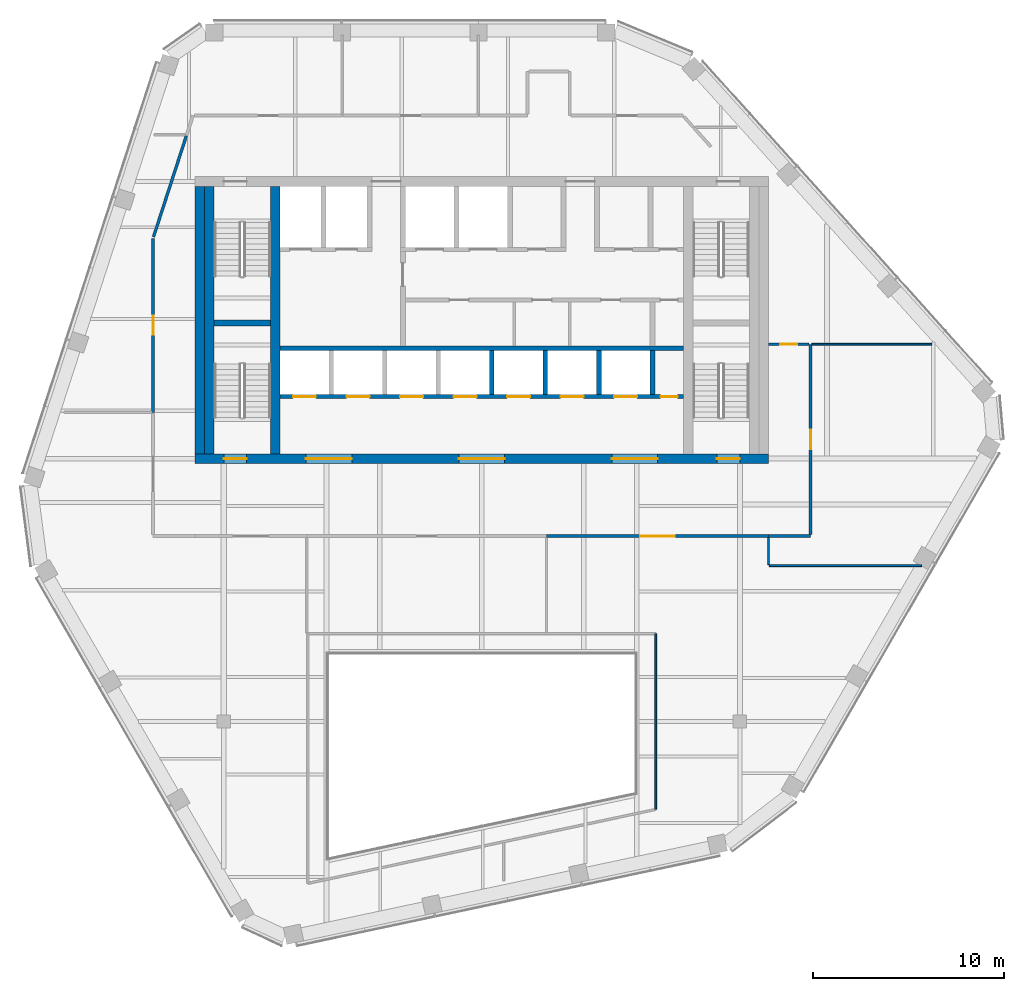
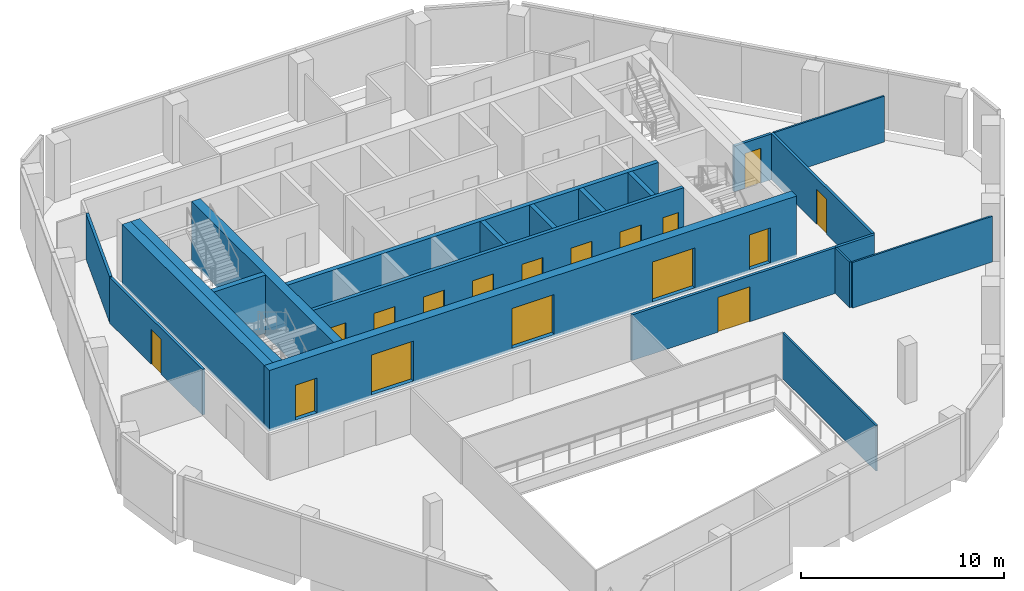
# One storey, part 8 of 15: 21 walls, 17 doors, 17 openings.
"""IFC4 building model written with IfcOpenShell, lengths in metres."""

from ifc_helpers import new_model, si_unit, direction, frame, frame_2d, origin, place, context, subcontext, project, spatial, rectangle, extrude, material, layer, layer_set, type_object, element, fill, save


model = new_model("IFC4")

# Units and contexts
model_context = context("Model", 3, precision=1e-05, world=origin(), true_north=direction((0.0, 1.0)))
body_context = subcontext(model_context, "Body", "Model", "MODEL_VIEW")
ifc_project = project(units=[si_unit("LENGTHUNIT", "METRE"), si_unit("AREAUNIT", "SQUARE_METRE"), si_unit("VOLUMEUNIT", "CUBIC_METRE"), si_unit("PLANEANGLEUNIT", "RADIAN"), si_unit("MASSUNIT", "GRAM", prefix="KILO")], contexts=[model_context])

# Site, building, storey
site_placement = place(None, origin())
site = spatial("IfcSite", under=ifc_project, at=site_placement, CompositionType="ELEMENT")
building_placement = place(site_placement, origin())
building = spatial("IfcBuilding", under=site, at=building_placement, Name="Isthmus Gate Tower", CompositionType="ELEMENT")
storey_placement = place(building_placement, frame((0.0, 0.0, 271.89990234375)))
storey = spatial("IfcBuildingStorey", under=building, at=storey_placement, Name="L69", CompositionType="ELEMENT", Elevation=271.89990234375)

# Wall
ifc_material_1 = material(Name="Fire-rated laminated glass in steel frame", Category="steel")
ifc_layer_1 = layer(ifc_material_1, 0.10009765625)
ifc_layer_set_1 = layer_set([ifc_layer_1], Name="ATRIUM SCREEN GLAZED WALL 100 120 MIN")
wall_type_1 = type_object("IfcWallType", Name="ATRIUM SCREEN GLAZED WALL 100 120 MIN", PredefinedType="PARTITIONING", material=ifc_layer_set_1)
wall_1_placement = place(storey_placement, frame((9.10009765625, -8.89990234375, 0.0), z_axis=(0.0, 0.0, 1.0), x_axis=(0.0, -1.0, 0.0)))
element("IfcWall", 1, at=wall_1_placement, inside=storey, type_object=wall_type_1, Name="L69 atrium screen", PredefinedType="PARTITIONING", context=body_context, shape_type="SweptSolid", body=[
    extrude(rectangle(XDim=9.200927734375, YDim=0.10009765625, at=frame_2d((4.6005859375, 0.0))), origin(), (0.0, 0.0, 1.0), 2.750732421875),
])

# Wall, opening, door
ifc_material_2 = material(Name="Gypsum board on steel studs, fire-rated", Category="steel")
ifc_layer_2 = layer(ifc_material_2, 0.14990234375)
ifc_layer_set_2 = layer_set([ifc_layer_2], Name="CORRIDOR WALL 150 60 MIN")
wall_type_2 = type_object("IfcWallType", Name="CORRIDOR WALL 150 60 MIN", PredefinedType="PARTITIONING", material=ifc_layer_set_2)
wall_2_placement = place(storey_placement, frame((15.0, -3.800048828125, 0.0), z_axis=(0.0, 0.0, 1.0), x_axis=(-1.0, 0.0, 0.0)))
wall_2 = element("IfcWall", 2, at=wall_2_placement, inside=storey, type_object=wall_type_2, Name="L69 Corridor Wall 150 60 Min", PredefinedType="PARTITIONING", context=body_context, shape_type="SweptSolid", body=[
    extrude(rectangle(XDim=11.614990234375, YDim=0.14990234375, at=frame_2d((5.8076171875, 0.0))), origin(), (0.0, 0.0, 1.0), 2.750732421875),
])
opening_1_placement = place(wall_2_placement, frame((4.907470703125, 0.0, 0.0)))
opening_1 = element("IfcOpeningElement", 3, at=opening_1_placement, cuts=wall_2, Name="Opening DT-T6B-10", PredefinedType="OPENING", context=body_context, shape_type="SweptSolid", body=[
    extrude(rectangle(XDim=1.800048828125, YDim=2.10009765625, at=frame_2d((0.89990234375, 1.050048828125))), frame((0.0, 0.0849609375, 0.0), z_axis=(0.0, -1.0, 0.0), x_axis=(1.0, 0.0, 0.0)), (0.0, 0.0, 1.0), 0.169921875),
])
ifc_material_3 = material(Name="Solid core timber door leaf, fire-rated", Category="wood")
door_type_1 = type_object("IfcDoorType", Name="FIRE DOOR ROOM 1800 X 2100 60 MIN", OperationType="DOUBLE_DOOR_DOUBLE_SWING", PredefinedType="DOOR", material=ifc_material_3)
door_1_placement = place(opening_1_placement, origin())
door_1 = element("IfcDoor", 4, at=door_1_placement, inside=storey, type_object=door_type_1, Name="L69 room door", OperationType="DOUBLE_DOOR_DOUBLE_SWING", OverallHeight=2.10009765625, OverallWidth=1.800048828125, PredefinedType="DOOR", context=body_context, shape_type="SweptSolid", body=[
    extrude(rectangle(XDim=1.800048828125, YDim=2.10009765625, at=frame_2d((0.89990234375, 1.050048828125))), frame((0.0, 0.02490234375, 0.0), z_axis=(0.0, -1.0, 0.0), x_axis=(1.0, 0.0, 0.0)), (0.0, 0.0, 1.0), 0.050048828125),
])
fill(opening_1, door_1)

# Wall
wall_3_placement = place(storey_placement, frame((17.199951171875, -3.800048828125, 0.0), z_axis=(0.0, 0.0, 1.0), x_axis=(-1.0, 0.0, 0.0)))
element("IfcWall", 5, at=wall_3_placement, inside=storey, type_object=wall_type_2, Name="L69 Corridor Wall 150 60 Min", PredefinedType="PARTITIONING", context=body_context, shape_type="SweptSolid", body=[
    extrude(rectangle(XDim=2.199951171875, YDim=0.14990234375, at=frame_2d((1.10009765625, 0.0))), origin(), (0.0, 0.0, 1.0), 2.750732421875),
])

# Wall, opening, door
wall_4_placement = place(storey_placement, frame((17.199951171875, 6.235107421875, 0.0), z_axis=(0.0, 0.0, 1.0), x_axis=(0.0, -1.0, 0.0)))
wall_4 = element("IfcWall", 6, at=wall_4_placement, inside=storey, type_object=wall_type_2, Name="L69 Corridor Wall 150 60 Min", PredefinedType="PARTITIONING", context=body_context, shape_type="SweptSolid", body=[
    extrude(rectangle(XDim=9.960205078125, YDim=0.14990234375, at=frame_2d((4.97998046875, 0.0))), origin(), (0.0, 0.0, 1.0), 2.750732421875),
])
opening_2_placement = place(wall_4_placement, frame((4.47998046875, 0.0, 0.0)))
opening_2 = element("IfcOpeningElement", 7, at=opening_2_placement, cuts=wall_4, Name="Opening DT-T6B-06", PredefinedType="OPENING", context=body_context, shape_type="SweptSolid", body=[
    extrude(rectangle(XDim=1.0, YDim=2.10009765625, at=frame_2d((0.5, 1.050048828125))), frame((0.0, 0.0849609375, 0.0), z_axis=(0.0, -1.0, 0.0), x_axis=(1.0, 0.0, 0.0)), (0.0, 0.0, 1.0), 0.169921875),
])
ifc_material_4 = material(Name="Solid core timber door leaf, fire-rated", Category="wood")
door_type_2 = type_object("IfcDoorType", Name="FIRE DOOR ROOM 1000 X 2100 60 MIN", OperationType="SINGLE_SWING_LEFT", PredefinedType="DOOR", material=ifc_material_4)
door_2_placement = place(opening_2_placement, origin())
door_2 = element("IfcDoor", 8, at=door_2_placement, inside=storey, type_object=door_type_2, Name="L69 room door", OperationType="SINGLE_SWING_RIGHT", OverallHeight=2.10009765625, OverallWidth=1.0, PredefinedType="DOOR", context=body_context, shape_type="SweptSolid", body=[
    extrude(rectangle(XDim=1.0, YDim=2.10009765625, at=frame_2d((0.5, 1.050048828125))), frame((0.0, 0.02490234375, 0.0), z_axis=(0.0, -1.0, 0.0), x_axis=(1.0, 0.0, 0.0)), (0.0, 0.0, 1.0), 0.050048828125),
])
fill(opening_2, door_2)

wall_5_placement = place(storey_placement, frame((15.0, 6.235107421875, 0.0), z_axis=(0.0, 0.0, 1.0), x_axis=(1.0, 0.0, 0.0)))
wall_5 = element("IfcWall", 9, at=wall_5_placement, inside=storey, type_object=wall_type_2, Name="L69 Corridor Wall 150 60 Min", PredefinedType="PARTITIONING", context=body_context, shape_type="SweptSolid", body=[
    extrude(rectangle(XDim=2.125, YDim=0.14990234375, at=frame_2d((1.0625, 0.0))), origin(), (0.0, 0.0, 1.0), 2.750732421875),
])
opening_3_placement = place(wall_5_placement, frame((0.612548828125, 0.0, 0.0)))
opening_3 = element("IfcOpeningElement", 10, at=opening_3_placement, cuts=wall_5, Name="Opening DT-T6B-04", PredefinedType="OPENING", context=body_context, shape_type="SweptSolid", body=[
    extrude(rectangle(XDim=0.89990234375, YDim=2.10009765625, at=frame_2d((0.449951171875, 1.050048828125))), frame((0.0, 0.0849609375, 0.0), z_axis=(0.0, -1.0, 0.0), x_axis=(1.0, 0.0, 0.0)), (0.0, 0.0, 1.0), 0.169921875),
])
ifc_material_5 = material(Name="Solid core timber door leaf, fire-rated", Category="wood")
door_type_3 = type_object("IfcDoorType", Name="FIRE DOOR ROOM 900 X 2100 60 MIN", OperationType="SINGLE_SWING_LEFT", PredefinedType="DOOR", material=ifc_material_5)
door_3_placement = place(opening_3_placement, origin())
door_3 = element("IfcDoor", 11, at=door_3_placement, inside=storey, type_object=door_type_3, Name="L69 room door", OperationType="SINGLE_SWING_LEFT", OverallHeight=2.10009765625, OverallWidth=0.89990234375, PredefinedType="DOOR", context=body_context, shape_type="SweptSolid", body=[
    extrude(rectangle(XDim=0.89990234375, YDim=2.10009765625, at=frame_2d((0.449951171875, 1.050048828125))), frame((0.0, 0.02490234375, 0.0), z_axis=(0.0, -1.0, 0.0), x_axis=(1.0, 0.0, 0.0)), (0.0, 0.0, 1.0), 0.050048828125),
])
fill(opening_3, door_3)

wall_6_placement = place(storey_placement, frame((-17.199951171875, 2.669921875, 0.0), z_axis=(0.0, 0.0, 1.0), x_axis=(0.0, 1.0, 0.0)))
wall_6 = element("IfcWall", 12, at=wall_6_placement, inside=storey, type_object=wall_type_2, Name="L69 Corridor Wall 150 60 Min", PredefinedType="PARTITIONING", context=body_context, shape_type="SweptSolid", body=[
    extrude(rectangle(XDim=9.107177734375, YDim=0.14990234375, at=frame_2d((4.5537109375, 0.0))), origin(), (0.0, 0.0, 1.0), 2.750732421875),
])
opening_4_placement = place(wall_6_placement, frame((4.053466796875, 0.0, 0.0)))
opening_4 = element("IfcOpeningElement", 13, at=opening_4_placement, cuts=wall_6, Name="Opening DT-T6B-05", PredefinedType="OPENING", context=body_context, shape_type="SweptSolid", body=[
    extrude(rectangle(XDim=1.0, YDim=2.10009765625, at=frame_2d((0.5, 1.050048828125))), frame((0.0, 0.0849609375, 0.0), z_axis=(0.0, -1.0, 0.0), x_axis=(1.0, 0.0, 0.0)), (0.0, 0.0, 1.0), 0.169921875),
])
door_4_placement = place(opening_4_placement, origin())
door_4 = element("IfcDoor", 14, at=door_4_placement, inside=storey, type_object=door_type_2, Name="L69 room door", OperationType="SINGLE_SWING_RIGHT", OverallHeight=2.10009765625, OverallWidth=1.0, PredefinedType="DOOR", context=body_context, shape_type="SweptSolid", body=[
    extrude(rectangle(XDim=1.0, YDim=2.10009765625, at=frame_2d((0.5, 1.050048828125))), frame((0.0, 0.02490234375, 0.0), z_axis=(0.0, -1.0, 0.0), x_axis=(1.0, 0.0, 0.0)), (0.0, 0.0, 1.0), 0.050048828125),
])
fill(opening_4, door_4)

# Walls
wall_7_placement = place(storey_placement, frame((-17.1767578125, 11.848388671875, 0.0), z_axis=(0.0, 0.0, 1.0), x_axis=(0.309030503714, 0.951052126739, 0.0)))
element("IfcWall", 15, at=wall_7_placement, inside=storey, type_object=wall_type_2, Name="L69 Corridor Wall 150 60 Min", PredefinedType="PARTITIONING", context=body_context, shape_type="SweptSolid", body=[
    extrude(rectangle(XDim=5.563232421875, YDim=0.14990234375, at=frame_2d((2.78173828125, 0.0))), origin(), (0.0, 0.0, 1.0), 2.750732421875),
])
ifc_material_6 = material(Name="Concrete f'c 50 MPa", Category="concrete")
ifc_layer_3 = layer(ifc_material_6, 0.5)
ifc_layer_set_3 = layer_set([ifc_layer_3], Name="RC CORE SPINE WALL 500 F'C 50")
wall_type_3 = type_object("IfcWallType", Name="RC CORE SPINE WALL 500 F'C 50", PredefinedType="SOLIDWALL", material=ifc_layer_set_3)
wall_8_placement = place(storey_placement, frame((-10.800048828125, 0.5, -0.14990234375), z_axis=(0.0, 0.0, 1.0), x_axis=(0.0, 1.0, 0.0)))
element("IfcWall", 16, at=wall_8_placement, inside=storey, type_object=wall_type_3, Name="str-corewall-L69-SPW", PredefinedType="SOLIDWALL", context=body_context, shape_type="SweptSolid", body=[
    extrude(rectangle(XDim=14.0, YDim=0.5, at=frame_2d((7.0, 0.0))), origin(), (0.0, 0.0, 1.0), 3.64990234375),
])

# Wall, openings, doors
ifc_material_7 = material(Name="Concrete f'c 50 MPa", Category="concrete")
ifc_layer_4 = layer(ifc_material_7, 0.5)
ifc_layer_set_4 = layer_set([ifc_layer_4], Name="RC CORE WALL 500 F'C 50")
wall_type_4 = type_object("IfcWallType", Name="RC CORE WALL 500 F'C 50", PredefinedType="SOLIDWALL", material=ifc_layer_set_4)
wall_9_placement = place(storey_placement, frame((-15.0, 0.25, -0.14990234375), z_axis=(0.0, 0.0, 1.0), x_axis=(1.0, 0.0, 0.0)))
wall_9 = element("IfcWall", 17, at=wall_9_placement, inside=storey, type_object=wall_type_4, Name="str-corewall-L69-S", PredefinedType="SOLIDWALL", context=body_context, shape_type="SweptSolid", body=[
    extrude(rectangle(XDim=30.0, YDim=0.5, at=frame_2d((15.0, 0.0))), origin(), (0.0, 0.0, 1.0), 3.64990234375),
])
opening_5_placement = place(wall_9_placement, frame((5.800048828125, 0.0, 0.14990234375)))
opening_5 = element("IfcOpeningElement", 18, at=opening_5_placement, cuts=wall_9, Name="Opening DC-A19-10", PredefinedType="OPENING", context=body_context, shape_type="SweptSolid", body=[
    extrude(rectangle(XDim=2.39990234375, YDim=2.39990234375, at=frame_2d((1.199951171875, 1.199951171875))), frame((0.0, 0.260009765625, 0.0), z_axis=(0.0, -1.0, 0.0), x_axis=(1.0, 0.0, 0.0)), (0.0, 0.0, 1.0), 0.52001953125),
])
opening_6_placement = place(wall_9_placement, frame((13.800048828125, 0.0, 0.14990234375)))
opening_6 = element("IfcOpeningElement", 19, at=opening_6_placement, cuts=wall_9, Name="Opening DC-A19-11", PredefinedType="OPENING", context=body_context, shape_type="SweptSolid", body=[
    extrude(rectangle(XDim=2.39990234375, YDim=2.39990234375, at=frame_2d((1.199951171875, 1.199951171875))), frame((0.0, 0.260009765625, 0.0), z_axis=(0.0, -1.0, 0.0), x_axis=(1.0, 0.0, 0.0)), (0.0, 0.0, 1.0), 0.52001953125),
])
opening_7_placement = place(wall_9_placement, frame((21.800048828125, 0.0, 0.14990234375)))
opening_7 = element("IfcOpeningElement", 20, at=opening_7_placement, cuts=wall_9, Name="Opening DC-A19-12", PredefinedType="OPENING", context=body_context, shape_type="SweptSolid", body=[
    extrude(rectangle(XDim=2.39990234375, YDim=2.39990234375, at=frame_2d((1.199951171875, 1.199951171875))), frame((0.0, 0.260009765625, 0.0), z_axis=(0.0, -1.0, 0.0), x_axis=(1.0, 0.0, 0.0)), (0.0, 0.0, 1.0), 0.52001953125),
])
opening_8_placement = place(wall_9_placement, frame((1.5, 0.0, 0.14990234375)))
opening_8 = element("IfcOpeningElement", 21, at=opening_8_placement, cuts=wall_9, Name="Opening DC-A19-17", PredefinedType="OPENING", context=body_context, shape_type="SweptSolid", body=[
    extrude(rectangle(XDim=1.199951171875, YDim=2.10009765625, at=frame_2d((0.60009765625, 1.050048828125))), frame((0.0, 0.260009765625, 0.0), z_axis=(0.0, -1.0, 0.0), x_axis=(1.0, 0.0, 0.0)), (0.0, 0.0, 1.0), 0.52001953125),
])
opening_9_placement = place(wall_9_placement, frame((27.300048828125, 0.0, 0.14990234375)))
opening_9 = element("IfcOpeningElement", 22, at=opening_9_placement, cuts=wall_9, Name="Opening DC-A19-18", PredefinedType="OPENING", context=body_context, shape_type="SweptSolid", body=[
    extrude(rectangle(XDim=1.199951171875, YDim=2.10009765625, at=frame_2d((0.60009765625, 1.050048828125))), frame((0.0, 0.260009765625, 0.0), z_axis=(0.0, -1.0, 0.0), x_axis=(1.0, 0.0, 0.0)), (0.0, 0.0, 1.0), 0.52001953125),
])
ifc_material_8 = material(Name="Laminated safety glass in steel frame, fire-rated", Category="steel")
door_type_4 = type_object("IfcDoorType", Name="LOBBY ENTRANCE FIRE DOOR 2400 X 2400 60 MIN", OperationType="DOUBLE_DOOR_DOUBLE_SWING", PredefinedType="DOOR", material=ifc_material_8)
door_5_placement = place(opening_5_placement, origin())
door_5 = element("IfcDoor", 23, at=door_5_placement, inside=storey, type_object=door_type_4, Name="Lobby Entrance PS-W", OperationType="DOUBLE_DOOR_DOUBLE_SWING", OverallHeight=2.39990234375, OverallWidth=2.39990234375, PredefinedType="DOOR", context=body_context, shape_type="SweptSolid", body=[
    extrude(rectangle(XDim=2.39990234375, YDim=2.39990234375, at=frame_2d((1.199951171875, 1.199951171875))), frame((0.0, 0.02490234375, 0.0), z_axis=(0.0, -1.0, 0.0), x_axis=(1.0, 0.0, 0.0)), (0.0, 0.0, 1.0), 0.050048828125),
])
fill(opening_5, door_5)
door_6_placement = place(opening_6_placement, origin())
door_6 = element("IfcDoor", 24, at=door_6_placement, inside=storey, type_object=door_type_4, Name="Lobby Entrance PS-C", OperationType="DOUBLE_DOOR_DOUBLE_SWING", OverallHeight=2.39990234375, OverallWidth=2.39990234375, PredefinedType="DOOR", context=body_context, shape_type="SweptSolid", body=[
    extrude(rectangle(XDim=2.39990234375, YDim=2.39990234375, at=frame_2d((1.199951171875, 1.199951171875))), frame((0.0, 0.02490234375, 0.0), z_axis=(0.0, -1.0, 0.0), x_axis=(1.0, 0.0, 0.0)), (0.0, 0.0, 1.0), 0.050048828125),
])
fill(opening_6, door_6)
door_7_placement = place(opening_7_placement, origin())
door_7 = element("IfcDoor", 25, at=door_7_placement, inside=storey, type_object=door_type_4, Name="Lobby Entrance PS-E", OperationType="DOUBLE_DOOR_DOUBLE_SWING", OverallHeight=2.39990234375, OverallWidth=2.39990234375, PredefinedType="DOOR", context=body_context, shape_type="SweptSolid", body=[
    extrude(rectangle(XDim=2.39990234375, YDim=2.39990234375, at=frame_2d((1.199951171875, 1.199951171875))), frame((0.0, 0.02490234375, 0.0), z_axis=(0.0, -1.0, 0.0), x_axis=(1.0, 0.0, 0.0)), (0.0, 0.0, 1.0), 0.050048828125),
])
fill(opening_7, door_7)
ifc_material_9 = material(Name="Steel door leaf, fire-rated", Category="steel")
door_type_5 = type_object("IfcDoorType", Name="STAIR FIRE DOOR 1200 X 2100 90 MIN", OperationType="SINGLE_SWING_LEFT", PredefinedType="DOOR", material=ifc_material_9)
door_8_placement = place(opening_8_placement, origin())
door_8 = element("IfcDoor", 26, at=door_8_placement, inside=storey, type_object=door_type_5, Name="Exit Stair 7 Door", OperationType="SINGLE_SWING_LEFT", OverallHeight=2.10009765625, OverallWidth=1.199951171875, PredefinedType="DOOR", context=body_context, shape_type="SweptSolid", body=[
    extrude(rectangle(XDim=1.199951171875, YDim=2.10009765625, at=frame_2d((0.60009765625, 1.050048828125))), frame((0.0, 0.02490234375, 0.0), z_axis=(0.0, -1.0, 0.0), x_axis=(1.0, 0.0, 0.0)), (0.0, 0.0, 1.0), 0.050048828125),
])
fill(opening_8, door_8)
door_9_placement = place(opening_9_placement, origin())
door_9 = element("IfcDoor", 27, at=door_9_placement, inside=storey, type_object=door_type_5, Name="Exit Stair 8 Door", OperationType="SINGLE_SWING_RIGHT", OverallHeight=2.10009765625, OverallWidth=1.199951171875, PredefinedType="DOOR", context=body_context, shape_type="SweptSolid", body=[
    extrude(rectangle(XDim=1.199951171875, YDim=2.10009765625, at=frame_2d((0.60009765625, 1.050048828125))), frame((0.0, 0.02490234375, 0.0), z_axis=(0.0, -1.0, 0.0), x_axis=(1.0, 0.0, 0.0)), (0.0, 0.0, 1.0), 0.050048828125),
])
fill(opening_9, door_9)

# Walls
wall_10_placement = place(storey_placement, frame((-14.75, 0.5, -0.14990234375), z_axis=(0.0, 0.0, 1.0), x_axis=(0.0, 1.0, 0.0)))
element("IfcWall", 28, at=wall_10_placement, inside=storey, type_object=wall_type_4, Name="str-corewall-L69-W", PredefinedType="SOLIDWALL", context=body_context, shape_type="SweptSolid", body=[
    extrude(rectangle(XDim=14.0, YDim=0.5, at=frame_2d((7.0, 0.0))), origin(), (0.0, 0.0, 1.0), 3.64990234375),
])
ifc_material_10 = material(Name="Gypsum board on steel studs, fire-rated", Category="steel")
ifc_layer_5 = layer(ifc_material_10, 0.10009765625)
ifc_layer_set_5 = layer_set([ifc_layer_5], Name="ROOM PARTITION 100 30 MIN")
wall_type_5 = type_object("IfcWallType", Name="ROOM PARTITION 100 30 MIN", PredefinedType="PARTITIONING", material=ifc_layer_set_5)
wall_11_placement = place(storey_placement, frame((17.27490234375, 6.235107421875, 0.0), z_axis=(0.0, 0.0, 1.0), x_axis=(0.999999962915, 0.00027234174, 0.0)))
element("IfcWall", 29, at=wall_11_placement, inside=storey, type_object=wall_type_5, Name="L69 Room Partition 100 30 Min", PredefinedType="PARTITIONING", context=body_context, shape_type="SweptSolid", body=[
    extrude(rectangle(XDim=6.275146484375, YDim=0.10009765625, at=frame_2d((3.1376953125, 0.0))), origin(), (0.0, 0.0, 1.0), 2.750732421875),
])
wall_12_placement = place(storey_placement, frame((15.050048828125, -5.35009765625, 0.0), z_axis=(0.0, 0.0, 1.0), x_axis=(1.0, 0.0, 0.0)))
element("IfcWall", 30, at=wall_12_placement, inside=storey, type_object=wall_type_5, Name="L69 Room Partition 100 30 Min", PredefinedType="PARTITIONING", context=body_context, shape_type="SweptSolid", body=[
    extrude(rectangle(XDim=7.9599609375, YDim=0.10009765625, at=frame_2d((3.97998046875, 0.0))), origin(), (0.0, 0.0, 1.0), 2.750732421875),
])
wall_13_placement = place(storey_placement, frame((15.0, -5.300048828125, 0.0), z_axis=(0.0, 0.0, 1.0), x_axis=(0.0, 1.0, 0.0)))
element("IfcWall", 31, at=wall_13_placement, inside=storey, type_object=wall_type_5, Name="L69 Room Partition 100 30 Min", PredefinedType="PARTITIONING", context=body_context, shape_type="SweptSolid", body=[
    extrude(rectangle(XDim=1.425048828125, YDim=0.10009765625, at=frame_2d((0.71240234375, 0.0))), origin(), (0.0, 0.0, 1.0), 2.750732421875),
])

# Wall, openings, doors
ifc_material_11 = material(Name="Fire-rated blockwork masonry, 15 MPa", Category="masonry")
ifc_layer_6 = layer(ifc_material_11, 0.199951171875)
ifc_layer_set_6 = layer_set([ifc_layer_6], Name="SHAFT FRONT WALL 200 120 MIN")
wall_type_6 = type_object("IfcWallType", Name="SHAFT FRONT WALL 200 120 MIN", PredefinedType="PARTITIONING", material=ifc_layer_set_6)
wall_14_placement = place(storey_placement, frame((-10.550048828125, 3.5, 0.0), z_axis=(0.0, 0.0, 1.0), x_axis=(1.0, 0.0, 0.0)))
wall_14 = element("IfcWall", 32, at=wall_14_placement, inside=storey, type_object=wall_type_6, Name="L69 SHAFT FRONT WALL 200 120 MIN", PredefinedType="PARTITIONING", context=body_context, shape_type="SweptSolid", body=[
    extrude(rectangle(XDim=21.10009765625, YDim=0.199951171875, at=frame_2d((10.550048828125, 0.0))), origin(), (0.0, 0.0, 1.0), 3.5),
])
opening_10_placement = place(wall_14_placement, frame((0.675048828125, 0.0, 0.0)))
opening_10 = element("IfcOpeningElement", 33, at=opening_10_placement, cuts=wall_14, Name="Opening LD-LC1", PredefinedType="OPENING", context=body_context, shape_type="SweptSolid", body=[
    extrude(rectangle(XDim=1.199951171875, YDim=2.10009765625, at=frame_2d((0.60009765625, 1.050048828125))), frame((0.0, 0.10986328125, 0.0), z_axis=(0.0, -1.0, 0.0), x_axis=(1.0, 0.0, 0.0)), (0.0, 0.0, 1.0), 0.219970703125),
])
opening_11_placement = place(wall_14_placement, frame((3.47509765625, 0.0, 0.0)))
opening_11 = element("IfcOpeningElement", 34, at=opening_11_placement, cuts=wall_14, Name="Opening LD-LC2", PredefinedType="OPENING", context=body_context, shape_type="SweptSolid", body=[
    extrude(rectangle(XDim=1.199951171875, YDim=2.10009765625, at=frame_2d((0.60009765625, 1.050048828125))), frame((0.0, 0.10986328125, 0.0), z_axis=(0.0, -1.0, 0.0), x_axis=(1.0, 0.0, 0.0)), (0.0, 0.0, 1.0), 0.219970703125),
])
opening_12_placement = place(wall_14_placement, frame((6.27490234375, 0.0, 0.0)))
opening_12 = element("IfcOpeningElement", 35, at=opening_12_placement, cuts=wall_14, Name="Opening LD-LC3", PredefinedType="OPENING", context=body_context, shape_type="SweptSolid", body=[
    extrude(rectangle(XDim=1.199951171875, YDim=2.10009765625, at=frame_2d((0.60009765625, 1.050048828125))), frame((0.0, 0.10986328125, 0.0), z_axis=(0.0, -1.0, 0.0), x_axis=(1.0, 0.0, 0.0)), (0.0, 0.0, 1.0), 0.219970703125),
])
opening_13_placement = place(wall_14_placement, frame((9.074951171875, 0.0, 0.0)))
opening_13 = element("IfcOpeningElement", 36, at=opening_13_placement, cuts=wall_14, Name="Opening LD-LC4", PredefinedType="OPENING", context=body_context, shape_type="SweptSolid", body=[
    extrude(rectangle(XDim=1.199951171875, YDim=2.10009765625, at=frame_2d((0.60009765625, 1.050048828125))), frame((0.0, 0.10986328125, 0.0), z_axis=(0.0, -1.0, 0.0), x_axis=(1.0, 0.0, 0.0)), (0.0, 0.0, 1.0), 0.219970703125),
])
opening_14_placement = place(wall_14_placement, frame((11.875, 0.0, 0.0)))
opening_14 = element("IfcOpeningElement", 37, at=opening_14_placement, cuts=wall_14, Name="Opening LD-LC5", PredefinedType="OPENING", context=body_context, shape_type="SweptSolid", body=[
    extrude(rectangle(XDim=1.199951171875, YDim=2.10009765625, at=frame_2d((0.60009765625, 1.050048828125))), frame((0.0, 0.10986328125, 0.0), z_axis=(0.0, -1.0, 0.0), x_axis=(1.0, 0.0, 0.0)), (0.0, 0.0, 1.0), 0.219970703125),
])
opening_15_placement = place(wall_14_placement, frame((14.675048828125, 0.0, 0.0)))
opening_15 = element("IfcOpeningElement", 38, at=opening_15_placement, cuts=wall_14, Name="Opening LD-LC6", PredefinedType="OPENING", context=body_context, shape_type="SweptSolid", body=[
    extrude(rectangle(XDim=1.199951171875, YDim=2.10009765625, at=frame_2d((0.60009765625, 1.050048828125))), frame((0.0, 0.10986328125, 0.0), z_axis=(0.0, -1.0, 0.0), x_axis=(1.0, 0.0, 0.0)), (0.0, 0.0, 1.0), 0.219970703125),
])
opening_16_placement = place(wall_14_placement, frame((17.47509765625, 0.0, 0.0)))
opening_16 = element("IfcOpeningElement", 39, at=opening_16_placement, cuts=wall_14, Name="Opening LD-LC7", PredefinedType="OPENING", context=body_context, shape_type="SweptSolid", body=[
    extrude(rectangle(XDim=1.199951171875, YDim=2.10009765625, at=frame_2d((0.60009765625, 1.050048828125))), frame((0.0, 0.10986328125, 0.0), z_axis=(0.0, -1.0, 0.0), x_axis=(1.0, 0.0, 0.0)), (0.0, 0.0, 1.0), 0.219970703125),
])
opening_17_placement = place(wall_14_placement, frame((19.89990234375, 0.0, 0.0)))
opening_17 = element("IfcOpeningElement", 40, at=opening_17_placement, cuts=wall_14, Name="Opening DC-A19-02", PredefinedType="OPENING", context=body_context, shape_type="SweptSolid", body=[
    extrude(rectangle(XDim=0.89990234375, YDim=2.10009765625, at=frame_2d((0.449951171875, 1.050048828125))), frame((0.0, 0.10986328125, 0.0), z_axis=(0.0, -1.0, 0.0), x_axis=(1.0, 0.0, 0.0)), (0.0, 0.0, 1.0), 0.219970703125),
])
ifc_material_12 = material(Name="Stainless steel sliding leaf", Category="steel")
door_type_6 = type_object("IfcDoorType", Name="LIFT LANDING FIRE DOOR 1200 X 2100 90 MIN", OperationType="DOUBLE_DOOR_SLIDING", PredefinedType="DOOR", material=ifc_material_12)
door_10_placement = place(opening_10_placement, origin())
door_10 = element("IfcDoor", 41, at=door_10_placement, inside=storey, type_object=door_type_6, Name="Lift Landing Door LC1", OperationType="DOUBLE_DOOR_SLIDING", OverallHeight=2.10009765625, OverallWidth=1.199951171875, PredefinedType="DOOR", context=body_context, shape_type="SweptSolid", body=[
    extrude(rectangle(XDim=1.199951171875, YDim=2.10009765625, at=frame_2d((0.60009765625, 1.050048828125))), frame((0.0, 0.02490234375, 0.0), z_axis=(0.0, -1.0, 0.0), x_axis=(1.0, 0.0, 0.0)), (0.0, 0.0, 1.0), 0.050048828125),
])
fill(opening_10, door_10)
door_11_placement = place(opening_11_placement, origin())
door_11 = element("IfcDoor", 42, at=door_11_placement, inside=storey, type_object=door_type_6, Name="Lift Landing Door LC2", OperationType="DOUBLE_DOOR_SLIDING", OverallHeight=2.10009765625, OverallWidth=1.199951171875, PredefinedType="DOOR", context=body_context, shape_type="SweptSolid", body=[
    extrude(rectangle(XDim=1.199951171875, YDim=2.10009765625, at=frame_2d((0.60009765625, 1.050048828125))), frame((0.0, 0.02490234375, 0.0), z_axis=(0.0, -1.0, 0.0), x_axis=(1.0, 0.0, 0.0)), (0.0, 0.0, 1.0), 0.050048828125),
])
fill(opening_11, door_11)
door_12_placement = place(opening_12_placement, origin())
door_12 = element("IfcDoor", 43, at=door_12_placement, inside=storey, type_object=door_type_6, Name="Lift Landing Door LC3", OperationType="DOUBLE_DOOR_SLIDING", OverallHeight=2.10009765625, OverallWidth=1.199951171875, PredefinedType="DOOR", context=body_context, shape_type="SweptSolid", body=[
    extrude(rectangle(XDim=1.199951171875, YDim=2.10009765625, at=frame_2d((0.60009765625, 1.050048828125))), frame((0.0, 0.02490234375, 0.0), z_axis=(0.0, -1.0, 0.0), x_axis=(1.0, 0.0, 0.0)), (0.0, 0.0, 1.0), 0.050048828125),
])
fill(opening_12, door_12)
door_13_placement = place(opening_13_placement, origin())
door_13 = element("IfcDoor", 44, at=door_13_placement, inside=storey, type_object=door_type_6, Name="Lift Landing Door LC4", OperationType="DOUBLE_DOOR_SLIDING", OverallHeight=2.10009765625, OverallWidth=1.199951171875, PredefinedType="DOOR", context=body_context, shape_type="SweptSolid", body=[
    extrude(rectangle(XDim=1.199951171875, YDim=2.10009765625, at=frame_2d((0.60009765625, 1.050048828125))), frame((0.0, 0.02490234375, 0.0), z_axis=(0.0, -1.0, 0.0), x_axis=(1.0, 0.0, 0.0)), (0.0, 0.0, 1.0), 0.050048828125),
])
fill(opening_13, door_13)
door_14_placement = place(opening_14_placement, origin())
door_14 = element("IfcDoor", 45, at=door_14_placement, inside=storey, type_object=door_type_6, Name="Lift Landing Door LC5", OperationType="DOUBLE_DOOR_SLIDING", OverallHeight=2.10009765625, OverallWidth=1.199951171875, PredefinedType="DOOR", context=body_context, shape_type="SweptSolid", body=[
    extrude(rectangle(XDim=1.199951171875, YDim=2.10009765625, at=frame_2d((0.60009765625, 1.050048828125))), frame((0.0, 0.02490234375, 0.0), z_axis=(0.0, -1.0, 0.0), x_axis=(1.0, 0.0, 0.0)), (0.0, 0.0, 1.0), 0.050048828125),
])
fill(opening_14, door_14)
door_15_placement = place(opening_15_placement, origin())
door_15 = element("IfcDoor", 46, at=door_15_placement, inside=storey, type_object=door_type_6, Name="Lift Landing Door LC6", OperationType="DOUBLE_DOOR_SLIDING", OverallHeight=2.10009765625, OverallWidth=1.199951171875, PredefinedType="DOOR", context=body_context, shape_type="SweptSolid", body=[
    extrude(rectangle(XDim=1.199951171875, YDim=2.10009765625, at=frame_2d((0.60009765625, 1.050048828125))), frame((0.0, 0.02490234375, 0.0), z_axis=(0.0, -1.0, 0.0), x_axis=(1.0, 0.0, 0.0)), (0.0, 0.0, 1.0), 0.050048828125),
])
fill(opening_15, door_15)
door_16_placement = place(opening_16_placement, origin())
door_16 = element("IfcDoor", 47, at=door_16_placement, inside=storey, type_object=door_type_6, Name="Lift Landing Door LC7", OperationType="DOUBLE_DOOR_SLIDING", OverallHeight=2.10009765625, OverallWidth=1.199951171875, PredefinedType="DOOR", context=body_context, shape_type="SweptSolid", body=[
    extrude(rectangle(XDim=1.199951171875, YDim=2.10009765625, at=frame_2d((0.60009765625, 1.050048828125))), frame((0.0, 0.02490234375, 0.0), z_axis=(0.0, -1.0, 0.0), x_axis=(1.0, 0.0, 0.0)), (0.0, 0.0, 1.0), 0.050048828125),
])
fill(opening_16, door_16)
ifc_material_13 = material(Name="Steel door leaf, fire-rated", Category="steel")
door_type_7 = type_object("IfcDoorType", Name="RISER FIRE DOOR 900 X 2100 90 MIN", OperationType="SINGLE_SWING_LEFT", PredefinedType="DOOR", material=ifc_material_13)
door_17_placement = place(opening_17_placement, origin())
door_17 = element("IfcDoor", 48, at=door_17_placement, inside=storey, type_object=door_type_7, Name="Riser Door", OperationType="SINGLE_SWING_RIGHT", OverallHeight=2.10009765625, OverallWidth=0.89990234375, PredefinedType="DOOR", context=body_context, shape_type="SweptSolid", body=[
    extrude(rectangle(XDim=0.89990234375, YDim=2.10009765625, at=frame_2d((0.449951171875, 1.050048828125))), frame((0.0, 0.02490234375, 0.0), z_axis=(0.0, -1.0, 0.0), x_axis=(1.0, 0.0, 0.0)), (0.0, 0.0, 1.0), 0.050048828125),
])
fill(opening_17, door_17)

# Walls
ifc_material_14 = material(Name="Fire-rated blockwork masonry, 15 MPa", Category="masonry")
ifc_layer_7 = layer(ifc_material_14, 0.25)
ifc_layer_set_7 = layer_set([ifc_layer_7], Name="SHAFT WALL 250 120 MIN")
wall_type_7 = type_object("IfcWallType", Name="SHAFT WALL 250 120 MIN", PredefinedType="PARTITIONING", material=ifc_layer_set_7)
wall_15_placement = place(storey_placement, frame((-10.550048828125, 6.02490234375, 0.0), z_axis=(0.0, 0.0, 1.0), x_axis=(1.0, 0.0, 0.0)))
element("IfcWall", 49, at=wall_15_placement, inside=storey, type_object=wall_type_7, Name="L69 SHAFT WALL 250 120 MIN", PredefinedType="PARTITIONING", context=body_context, shape_type="SweptSolid", body=[
    extrude(rectangle(XDim=21.10009765625, YDim=0.25, at=frame_2d((10.550048828125, 0.0))), origin(), (0.0, 0.0, 1.0), 3.5),
])
for number, where, z_axis, x_axis, name in (
    (50, (0.52490234375, 3.60009765625, 0.0), (0.0, 0.0, 1.0), (0.0, 1.0, 0.0), "L69 SHAFT WALL 250 120 MIN"),
    (51, (3.324951171875, 3.60009765625, 0.0), (0.0, 0.0, 1.0), (0.0, 1.0, 0.0), "L69 SHAFT WALL 250 120 MIN"),
    (52, (6.125, 3.60009765625, 0.0), (0.0, 0.0, 1.0), (0.0, 1.0, 0.0), "L69 SHAFT WALL 250 120 MIN"),
    (53, (8.925048828125, 3.60009765625, 0.0), (0.0, 0.0, 1.0), (0.0, 1.0, 0.0), "L69 SHAFT WALL 250 120 MIN"),
):
    element("IfcWall", number, at=place(storey_placement, frame(where, z_axis=z_axis, x_axis=x_axis)), inside=storey, type_object=wall_type_7, Name=name, PredefinedType="PARTITIONING", context=body_context, shape_type="SweptSolid", body=[
        extrude(rectangle(XDim=2.2998046875, YDim=0.25, at=frame_2d((1.14990234375, 0.0))), origin(), (0.0, 0.0, 1.0), 3.5),
    ])
ifc_material_15 = material(Name="Concrete f'c 40 MPa", Category="concrete")
ifc_layer_8 = layer(ifc_material_15, 0.300048828125)
ifc_layer_set_8 = layer_set([ifc_layer_8], Name="STAIR ENCLOSURE WALL 300 180 MIN")
wall_type_8 = type_object("IfcWallType", Name="STAIR ENCLOSURE WALL 300 180 MIN", PredefinedType="SOLIDWALL", material=ifc_layer_set_8)
wall_16_placement = place(storey_placement, frame((-14.0, 7.35009765625, 0.0), z_axis=(0.0, 0.0, 1.0), x_axis=(1.0, 0.0, 0.0)))
element("IfcWall", 54, at=wall_16_placement, inside=storey, type_object=wall_type_8, Name="L69 STAIR ENCLOSURE WALL 300 180 MIN", PredefinedType="SOLIDWALL", context=body_context, shape_type="SweptSolid", body=[
    extrude(rectangle(XDim=2.949951171875, YDim=0.300048828125, at=frame_2d((1.47509765625, 0.0))), origin(), (0.0, 0.0, 1.0), 3.5),
])
ifc_material_16 = material(Name="Concrete f'c 40 MPa", Category="concrete")
ifc_layer_9 = layer(ifc_material_16, 0.5)
ifc_layer_set_9 = layer_set([ifc_layer_9], Name="STAIR ENCLOSURE WALL 500 180 MIN")
wall_type_9 = type_object("IfcWallType", Name="STAIR ENCLOSURE WALL 500 180 MIN", PredefinedType="SOLIDWALL", material=ifc_layer_set_9)
wall_17_placement = place(storey_placement, frame((-14.25, 0.5, 0.0), z_axis=(0.0, 0.0, 1.0), x_axis=(0.0, 1.0, 0.0)))
element("IfcWall", 55, at=wall_17_placement, inside=storey, type_object=wall_type_9, Name="L69 STAIR ENCLOSURE WALL 500 180 MIN", PredefinedType="SOLIDWALL", context=body_context, shape_type="SweptSolid", body=[
    extrude(rectangle(XDim=14.0, YDim=0.5, at=frame_2d((7.0, 0.0))), origin(), (0.0, 0.0, 1.0), 3.5),
])

save(model, "model.ifc")
